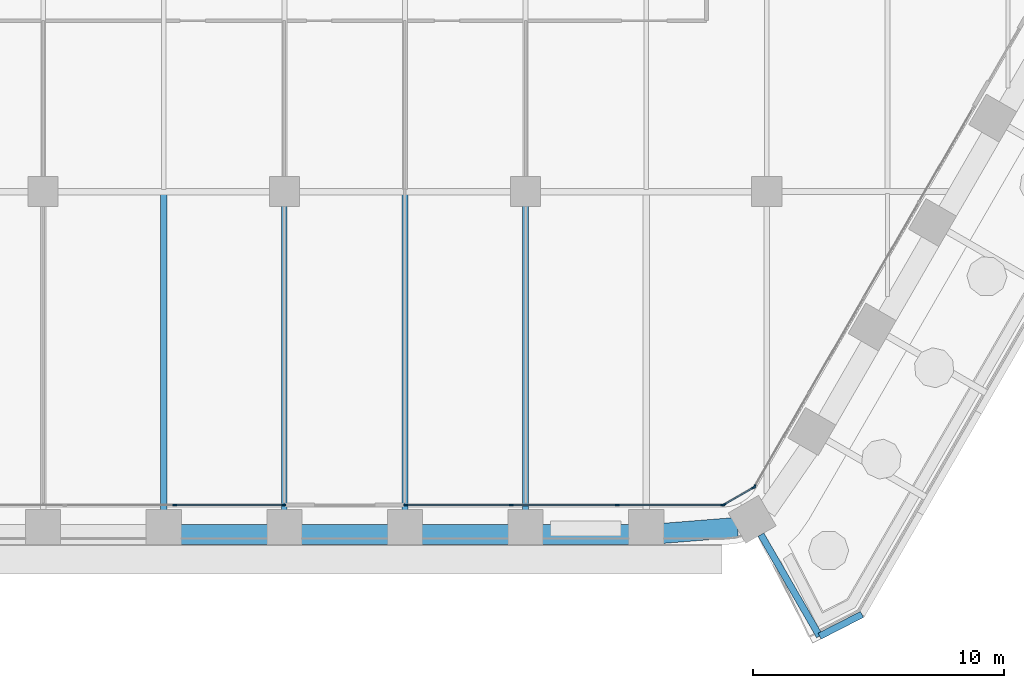
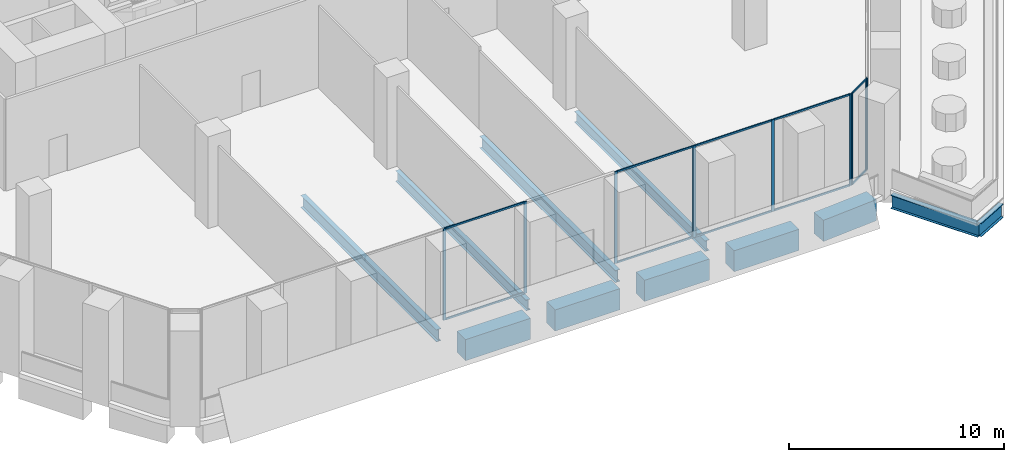
# One storey, part 4 of 32: 19 members, 11 beams, 4 elements without a shape of their own.
"""IFC4 building model written with IfcOpenShell, lengths in metres."""

from ifc_helpers import new_model, si_unit, direction, frame, origin, origin_2d, place, context, subcontext, project, spatial, rectangle, i_section, extrude, material, material_profile, profile_set, type_object, element, aggregate, save


model = new_model("IFC4")

# Units and contexts
model_context = context("Model", 3, precision=1e-05, world=origin(), true_north=direction((0.0, 1.0)))
body_context = subcontext(model_context, "Body", "Model", "MODEL_VIEW")
ifc_project = project(units=[si_unit("LENGTHUNIT", "METRE"), si_unit("AREAUNIT", "SQUARE_METRE"), si_unit("VOLUMEUNIT", "CUBIC_METRE"), si_unit("PLANEANGLEUNIT", "RADIAN"), si_unit("MASSUNIT", "GRAM", prefix="KILO")], contexts=[model_context])

# Site, building, storey
site_placement = place(None, origin())
site = spatial("IfcSite", under=ifc_project, at=site_placement, CompositionType="ELEMENT")
building_placement = place(site_placement, origin())
building = spatial("IfcBuilding", under=site, at=building_placement, Name="Kolab Exchange Tower", CompositionType="ELEMENT")
storey_placement = place(building_placement, frame((0.0, 0.0, 60.89990234375)))
storey = spatial("IfcBuildingStorey", under=building, at=storey_placement, Name="L11", CompositionType="ELEMENT", Elevation=60.89990234375)

# Beams
ifc_material_1 = material(Name="Steel S355", Category="steel")
ifc_material_profile_1 = material_profile(ifc_material_1, i_section(OverallWidth=0.22802734375, OverallDepth=0.60791015625, WebThickness=0.01123046875, FlangeThickness=0.017333984375, at=origin_2d()), Name="W610X113")
ifc_profile_set_1 = profile_set([ifc_material_profile_1], Name="Steel S355")
beam_type_1 = type_object("IfcBeamType", Name="FLOOR BEAM W610X113", PredefinedType="BEAM", material=ifc_profile_set_1)
for number, where, z_axis, x_axis, name in (
    (1, (0.0, -31.8955078125, -0.553955078125), (0.0, 1.0, 0.0), (-1.0, 0.0, 0.0), "beam/L11/fr/030"),
    (2, (9.60009765625, -31.8955078125, -0.553955078125), (0.0, 1.0, 0.0), (-1.0, 0.0, 0.0), "beam/L11/fr/038"),
):
    element("IfcBeam", number, at=place(storey_placement, frame(where, z_axis=z_axis, x_axis=x_axis)), inside=storey, type_object=beam_type_1, Name=name, PredefinedType="BEAM", context=body_context, shape_type="SweptSolid", body=[
        extrude(i_section(OverallWidth=0.22802734375, OverallDepth=0.60791015625, WebThickness=0.01123046875, FlangeThickness=0.017333984375, at=origin_2d()), origin(), (0.0, 0.0, 1.0), 12.135498046875),
    ])
ifc_material_profile_2 = material_profile(ifc_material_1, i_section(OverallWidth=0.25390625, OverallDepth=0.68408203125, WebThickness=0.012451171875, FlangeThickness=0.018798828125, at=origin_2d()), Name="W690X140")
ifc_profile_set_2 = profile_set([ifc_material_profile_2], Name="Steel S355")
beam_type_2 = type_object("IfcBeamType", Name="FLOOR BEAM W690X140", PredefinedType="BEAM", material=ifc_profile_set_2)
for number, where, z_axis, x_axis, name in (
    (3, (-4.800048828125, -31.8955078125, -0.591796875), (0.0, 1.0, 0.0), (-1.0, 0.0, 0.0), "beam/L11/fr/026"),
    (4, (4.800048828125, -31.8955078125, -0.591796875), (0.0, 1.0, 0.0), (-1.0, 0.0, 0.0), "beam/L11/fr/034"),
):
    element("IfcBeam", number, at=place(storey_placement, frame(where, z_axis=z_axis, x_axis=x_axis)), inside=storey, type_object=beam_type_2, Name=name, PredefinedType="BEAM", context=body_context, shape_type="SweptSolid", body=[
        extrude(i_section(OverallWidth=0.25390625, OverallDepth=0.68408203125, WebThickness=0.012451171875, FlangeThickness=0.018798828125, at=origin_2d()), origin(), (0.0, 0.0, 1.0), 12.6083984375),
    ])
ifc_material_profile_3 = material_profile(ifc_material_1, i_section(OverallWidth=0.26708984375, OverallDepth=0.761962890625, WebThickness=0.014404296875, FlangeThickness=0.021484375, at=origin_2d()), Name="W760X173")
ifc_profile_set_3 = profile_set([ifc_material_profile_3], Name="Steel S355")
beam_type_3 = type_object("IfcBeamType", Name="FLOOR GIRDER W760X173", PredefinedType="BEAM", material=ifc_profile_set_3)
beam_1_placement = place(storey_placement, frame((18.968017578125, -32.853515625, -0.69091796875), z_axis=(0.500004747635, -0.866022662719, 0.0), x_axis=(0.866022662719, 0.500004747635, 0.0)))
element("IfcBeam", 5, at=beam_1_placement, inside=storey, type_object=beam_type_3, Name="beam/L11/ledge/rib-16", PredefinedType="BEAM", context=body_context, shape_type="SweptSolid", body=[
    extrude(i_section(OverallWidth=0.26708984375, OverallDepth=0.761962890625, WebThickness=0.014404296875, FlangeThickness=0.021484375, at=origin_2d()), origin(), (0.0, 0.0, 1.0), 4.66650390625),
])
beam_2_placement = place(storey_placement, frame((22.9853515625, -36.031982421875, -0.69091796875), z_axis=(-0.889945032592, -0.456067800843, 0.0), x_axis=(0.456067800843, -0.889945032592, 0.0)))
element("IfcBeam", 6, at=beam_2_placement, inside=storey, type_object=beam_type_3, Name="beam/L11/ledge/edge-19", PredefinedType="BEAM", context=body_context, shape_type="SweptSolid", body=[
    extrude(i_section(OverallWidth=0.26708984375, OverallDepth=0.761962890625, WebThickness=0.014404296875, FlangeThickness=0.021484375, at=origin_2d()), origin(), (0.0, 0.0, 1.0), 1.892333984375),
])
ifc_material_2 = material(Name="Concrete C80/95", Category="concrete")
ifc_material_profile_4 = material_profile(ifc_material_2, rectangle(XDim=0.800048828125, YDim=1.199951171875, at=origin_2d()), Name="RC800X1200")
ifc_profile_set_4 = profile_set([ifc_material_profile_4], Name="Concrete C80/95")
beam_type_4 = type_object("IfcBeamType", Name="SPANDREL BEAM 800X1200 C80/95", PredefinedType="BEAM", material=ifc_profile_set_4)
beam_3_placement = place(storey_placement, frame((18.03515625, -32.5654296875, -0.849853515625), z_axis=(-0.996833978278, -0.07951112973, 0.0), x_axis=(0.07951112973, -0.996833978278, 0.0)))
element("IfcBeam", 7, at=beam_3_placement, inside=storey, type_object=beam_type_4, Name="beam/L11/sp/F4-01", PredefinedType="BEAM", context=body_context, shape_type="SweptSolid", body=[
    extrude(rectangle(XDim=0.800048828125, YDim=1.199951171875, at=origin_2d()), origin(), (0.0, 0.0, 1.0), 2.984619140625),
])
for number, where, z_axis, x_axis, name in (
    (8, (13.739990234375, -32.85546875, -0.849853515625), (-1.0, 0.0, 0.0), (0.0, -1.0, 0.0), "beam/L11/sp/F4-02"),
    (9, (8.93994140625, -32.85546875, -0.849853515625), (-1.0, 0.0, 0.0), (0.0, -1.0, 0.0), "beam/L11/sp/F4-03"),
    (10, (4.139892578125, -32.85546875, -0.849853515625), (-1.0, 0.0, 0.0), (0.0, -1.0, 0.0), "beam/L11/sp/F4-04"),
    (11, (-0.659912109375, -32.85546875, -0.849853515625), (-1.0, 0.0, 0.0), (0.0, -1.0, 0.0), "beam/L11/sp/F4-05"),
):
    element("IfcBeam", number, at=place(storey_placement, frame(where, z_axis=z_axis, x_axis=x_axis)), inside=storey, type_object=beam_type_4, Name=name, PredefinedType="BEAM", context=body_context, shape_type="SweptSolid", body=[
        extrude(rectangle(XDim=0.800048828125, YDim=1.199951171875, at=origin_2d()), origin(), (0.0, 0.0, 1.0), 3.47998046875),
    ])

# Curtain wall, member
ifc_material_3 = material(Name="Aluminium EN AW-6063 T6", Category="aluminium")
curtain_wall_type = type_object("IfcCurtainWallType", Name="UNITISED LOW ZONE CURTAIN WALL", PredefinedType="NOTDEFINED", material=ifc_material_3)
curtain_wall_1_placement = place(storey_placement, origin())
curtain_wall_1 = element("IfcCurtainWall", 12, at=curtain_wall_1_placement, inside=storey, type_object=curtain_wall_type, Name="cw/L11/F3-2", PredefinedType="NOTDEFINED")
ifc_material_profile_5 = material_profile(ifc_material_3, rectangle(XDim=0.06005859375, YDim=0.159912109375, at=origin_2d()), Name="RECT 60X160")
ifc_profile_set_5 = profile_set([ifc_material_profile_5], Name="Aluminium EN AW-6063 T6")
member_type_1 = type_object("IfcMemberType", Name="UNITISED LOW ZONE MULLION 60 X 160", PredefinedType="MULLION", material=ifc_profile_set_5)
member_1_placement = place(storey_placement, frame((18.712646484375, -30.939453125, 0.0), z_axis=(0.0, 0.0, 1.0), x_axis=(0.866025397318, -0.5000000112, 0.0)))
member_1 = element("IfcMember", 13, at=member_1_placement, type_object=member_type_1, Name="CW1 mullion 5", PredefinedType="MULLION", context=body_context, shape_type="SweptSolid", body=[
    extrude(rectangle(XDim=0.06005859375, YDim=0.159912109375, at=origin_2d()), origin(), (0.0, 0.0, 1.0), 5.2001953125),
])
aggregate(curtain_wall_1, [member_1])

# Curtain wall, members
curtain_wall_2_placement = place(storey_placement, origin())
curtain_wall_2 = element("IfcCurtainWall", 14, at=curtain_wall_2_placement, inside=storey, type_object=curtain_wall_type, Name="cw/L11/F4-1", PredefinedType="NOTDEFINED")
member_2_placement = place(storey_placement, frame((17.43798828125, -31.67529296875, 0.0), z_axis=(0.0, 0.0, 1.0), x_axis=(0.0, -1.0, 0.0)))
member_2 = element("IfcMember", 15, at=member_2_placement, type_object=member_type_1, Name="CW1 mullion 1", PredefinedType="MULLION", context=body_context, shape_type="SweptSolid", body=[
    extrude(rectangle(XDim=0.06005859375, YDim=0.159912109375, at=origin_2d()), origin(), (0.0, 0.0, 1.0), 5.2001953125),
])
member_3_placement = place(storey_placement, frame((13.245361328125, -31.67529296875, 0.0), z_axis=(0.0, 0.0, 1.0), x_axis=(0.0, -1.0, 0.0)))
member_3 = element("IfcMember", 16, at=member_3_placement, type_object=member_type_1, Name="CW1 mullion 2", PredefinedType="MULLION", context=body_context, shape_type="SweptSolid", body=[
    extrude(rectangle(XDim=0.06005859375, YDim=0.159912109375, at=origin_2d()), origin(), (0.0, 0.0, 1.0), 5.2001953125),
])
member_4_placement = place(storey_placement, frame((9.022705078125, -31.67529296875, 0.0), z_axis=(0.0, 0.0, 1.0), x_axis=(0.0, -1.0, 0.0)))
member_4 = element("IfcMember", 17, at=member_4_placement, type_object=member_type_1, Name="CW1 mullion 3", PredefinedType="MULLION", context=body_context, shape_type="SweptSolid", body=[
    extrude(rectangle(XDim=0.06005859375, YDim=0.159912109375, at=origin_2d()), origin(), (0.0, 0.0, 1.0), 5.2001953125),
])
member_5_placement = place(storey_placement, frame((4.830078125, -31.67529296875, 0.0), z_axis=(0.0, 0.0, 1.0), x_axis=(0.0, -1.0, 0.0)))
member_5 = element("IfcMember", 18, at=member_5_placement, type_object=member_type_1, Name="CW1 mullion 4", PredefinedType="MULLION", context=body_context, shape_type="SweptSolid", body=[
    extrude(rectangle(XDim=0.06005859375, YDim=0.159912109375, at=origin_2d()), origin(), (0.0, 0.0, 1.0), 5.2001953125),
])

curtain_wall_3_placement = place(storey_placement, origin())
curtain_wall_3 = element("IfcCurtainWall", 19, at=curtain_wall_3_placement, inside=storey, type_object=curtain_wall_type, Name="cw/L11/F4-2", PredefinedType="NOTDEFINED")
member_6_placement = place(storey_placement, frame((-0.030029296875, -31.67529296875, 0.0), z_axis=(0.0, 0.0, 1.0), x_axis=(0.0, -1.0, 0.0)))
member_6 = element("IfcMember", 20, at=member_6_placement, type_object=member_type_1, Name="CW1 mullion 1", PredefinedType="MULLION", context=body_context, shape_type="SweptSolid", body=[
    extrude(rectangle(XDim=0.06005859375, YDim=0.159912109375, at=origin_2d()), origin(), (0.0, 0.0, 1.0), 5.2001953125),
])
member_7_placement = place(storey_placement, frame((-4.366943359375, -31.67529296875, 0.0), z_axis=(0.0, 0.0, 1.0), x_axis=(0.0, -1.0, 0.0)))
member_7 = element("IfcMember", 21, at=member_7_placement, type_object=member_type_1, Name="CW1 mullion 2", PredefinedType="MULLION", context=body_context, shape_type="SweptSolid", body=[
    extrude(rectangle(XDim=0.06005859375, YDim=0.159912109375, at=origin_2d()), origin(), (0.0, 0.0, 1.0), 5.2001953125),
])

curtain_wall_4_placement = place(storey_placement, origin())
curtain_wall_4 = element("IfcCurtainWall", 22, at=curtain_wall_4_placement, inside=storey, type_object=curtain_wall_type, Name="cw/L11/F3F4-corner", PredefinedType="NOTDEFINED")
member_8_placement = place(storey_placement, frame((18.671630859375, -30.98046875, 0.0), z_axis=(0.0, 0.0, 1.0), x_axis=(0.50000002237, -0.866025390869, 0.0)))
member_8 = element("IfcMember", 23, at=member_8_placement, type_object=member_type_1, Name="CW1 mullion 1", PredefinedType="MULLION", context=body_context, shape_type="SweptSolid", body=[
    extrude(rectangle(XDim=0.06005859375, YDim=0.159912109375, at=origin_2d()), origin(), (0.0, 0.0, 1.0), 5.2001953125),
])
member_9_placement = place(storey_placement, frame((17.493896484375, -31.660400390625, 0.0), z_axis=(0.0, 0.0, 1.0), x_axis=(0.50000002237, -0.866025390869, 0.0)))
member_9 = element("IfcMember", 24, at=member_9_placement, type_object=member_type_1, Name="CW1 mullion 2", PredefinedType="MULLION", context=body_context, shape_type="SweptSolid", body=[
    extrude(rectangle(XDim=0.06005859375, YDim=0.159912109375, at=origin_2d()), origin(), (0.0, 0.0, 1.0), 5.2001953125),
])

# Member
ifc_material_profile_6 = material_profile(ifc_material_3, rectangle(XDim=0.06005859375, YDim=0.10009765625, at=origin_2d()), Name="RECT 60X100")
ifc_profile_set_6 = profile_set([ifc_material_profile_6], Name="Aluminium EN AW-6063 T6")
member_type_2 = type_object("IfcMemberType", Name="UNITISED LOW ZONE TRANSOM 60 X 100", PredefinedType="USERDEFINED", material=ifc_profile_set_6)
member_10_placement = place(storey_placement, frame((17.407958984375, -31.67529296875, 0.030029296875), z_axis=(-1.0, 0.0, 0.0), x_axis=(0.0, -1.0, 0.0)))
member_10 = element("IfcMember", 25, at=member_10_placement, type_object=member_type_2, Name="CW1 transom 1.1", ObjectType="TRANSOM", PredefinedType="USERDEFINED", context=body_context, shape_type="SweptSolid", body=[
    extrude(rectangle(XDim=0.06005859375, YDim=0.10009765625, at=origin_2d()), origin(), (0.0, 0.0, 1.0), 4.132568359375),
])

member_11_placement = place(storey_placement, frame((17.407958984375, -31.67529296875, 5.170166015625), z_axis=(-1.0, 0.0, 0.0), x_axis=(0.0, -1.0, 0.0)))
member_11 = element("IfcMember", 26, at=member_11_placement, type_object=member_type_2, Name="CW1 transom 1.2", ObjectType="TRANSOM", PredefinedType="USERDEFINED", context=body_context, shape_type="SweptSolid", body=[
    extrude(rectangle(XDim=0.06005859375, YDim=0.10009765625, at=origin_2d()), origin(), (0.0, 0.0, 1.0), 4.132568359375),
])

member_12_placement = place(storey_placement, frame((13.21533203125, -31.67529296875, 0.030029296875), z_axis=(-1.0, 0.0, 0.0), x_axis=(0.0, -1.0, 0.0)))
member_12 = element("IfcMember", 27, at=member_12_placement, type_object=member_type_2, Name="CW1 transom 2.1", ObjectType="TRANSOM", PredefinedType="USERDEFINED", context=body_context, shape_type="SweptSolid", body=[
    extrude(rectangle(XDim=0.06005859375, YDim=0.10009765625, at=origin_2d()), origin(), (0.0, 0.0, 1.0), 4.16259765625),
])

member_13_placement = place(storey_placement, frame((13.21533203125, -31.67529296875, 5.170166015625), z_axis=(-1.0, 0.0, 0.0), x_axis=(0.0, -1.0, 0.0)))
member_13 = element("IfcMember", 28, at=member_13_placement, type_object=member_type_2, Name="CW1 transom 2.2", ObjectType="TRANSOM", PredefinedType="USERDEFINED", context=body_context, shape_type="SweptSolid", body=[
    extrude(rectangle(XDim=0.06005859375, YDim=0.10009765625, at=origin_2d()), origin(), (0.0, 0.0, 1.0), 4.16259765625),
])

member_14_placement = place(storey_placement, frame((8.99267578125, -31.67529296875, 0.030029296875), z_axis=(-1.0, 0.0, 0.0), x_axis=(0.0, -1.0, 0.0)))
member_14 = element("IfcMember", 29, at=member_14_placement, type_object=member_type_2, Name="CW1 transom 3.1", ObjectType="TRANSOM", PredefinedType="USERDEFINED", context=body_context, shape_type="SweptSolid", body=[
    extrude(rectangle(XDim=0.06005859375, YDim=0.10009765625, at=origin_2d()), origin(), (0.0, 0.0, 1.0), 4.132568359375),
])

member_15_placement = place(storey_placement, frame((8.99267578125, -31.67529296875, 5.170166015625), z_axis=(-1.0, 0.0, 0.0), x_axis=(0.0, -1.0, 0.0)))
member_15 = element("IfcMember", 30, at=member_15_placement, type_object=member_type_2, Name="CW1 transom 3.2", ObjectType="TRANSOM", PredefinedType="USERDEFINED", context=body_context, shape_type="SweptSolid", body=[
    extrude(rectangle(XDim=0.06005859375, YDim=0.10009765625, at=origin_2d()), origin(), (0.0, 0.0, 1.0), 4.132568359375),
])

aggregate(curtain_wall_2, [member_2, member_3, member_4, member_5, member_10, member_11, member_12, member_13, member_14, member_15])

member_16_placement = place(storey_placement, frame((-0.06005859375, -31.67529296875, 0.030029296875), z_axis=(-1.0, 0.0, 0.0), x_axis=(0.0, -1.0, 0.0)))
member_16 = element("IfcMember", 31, at=member_16_placement, type_object=member_type_2, Name="CW1 transom 1.1", ObjectType="TRANSOM", PredefinedType="USERDEFINED", context=body_context, shape_type="SweptSolid", body=[
    extrude(rectangle(XDim=0.06005859375, YDim=0.10009765625, at=origin_2d()), origin(), (0.0, 0.0, 1.0), 4.27685546875),
])

member_17_placement = place(storey_placement, frame((-0.06005859375, -31.67529296875, 5.170166015625), z_axis=(-1.0, 0.0, 0.0), x_axis=(0.0, -1.0, 0.0)))
member_17 = element("IfcMember", 32, at=member_17_placement, type_object=member_type_2, Name="CW1 transom 1.2", ObjectType="TRANSOM", PredefinedType="USERDEFINED", context=body_context, shape_type="SweptSolid", body=[
    extrude(rectangle(XDim=0.06005859375, YDim=0.10009765625, at=origin_2d()), origin(), (0.0, 0.0, 1.0), 4.27685546875),
])

aggregate(curtain_wall_3, [member_6, member_7, member_16, member_17])

member_18_placement = place(storey_placement, frame((18.645751953125, -30.995361328125, 0.030029296875), z_axis=(-0.86603858612, -0.49997716683, 0.0), x_axis=(0.49997716683, -0.86603858612, 0.0)))
member_18 = element("IfcMember", 33, at=member_18_placement, type_object=member_type_2, Name="CW1 transom 1.1", ObjectType="TRANSOM", PredefinedType="USERDEFINED", context=body_context, shape_type="SweptSolid", body=[
    extrude(rectangle(XDim=0.06005859375, YDim=0.10009765625, at=origin_2d()), origin(), (0.0, 0.0, 1.0), 1.2998046875),
])

member_19_placement = place(storey_placement, frame((18.645751953125, -30.995361328125, 5.170166015625), z_axis=(-0.86603858612, -0.49997716683, 0.0), x_axis=(0.49997716683, -0.86603858612, 0.0)))
member_19 = element("IfcMember", 34, at=member_19_placement, type_object=member_type_2, Name="CW1 transom 1.2", ObjectType="TRANSOM", PredefinedType="USERDEFINED", context=body_context, shape_type="SweptSolid", body=[
    extrude(rectangle(XDim=0.06005859375, YDim=0.10009765625, at=origin_2d()), origin(), (0.0, 0.0, 1.0), 1.2998046875),
])

aggregate(curtain_wall_4, [member_8, member_9, member_18, member_19])

save(model, "model.ifc")
